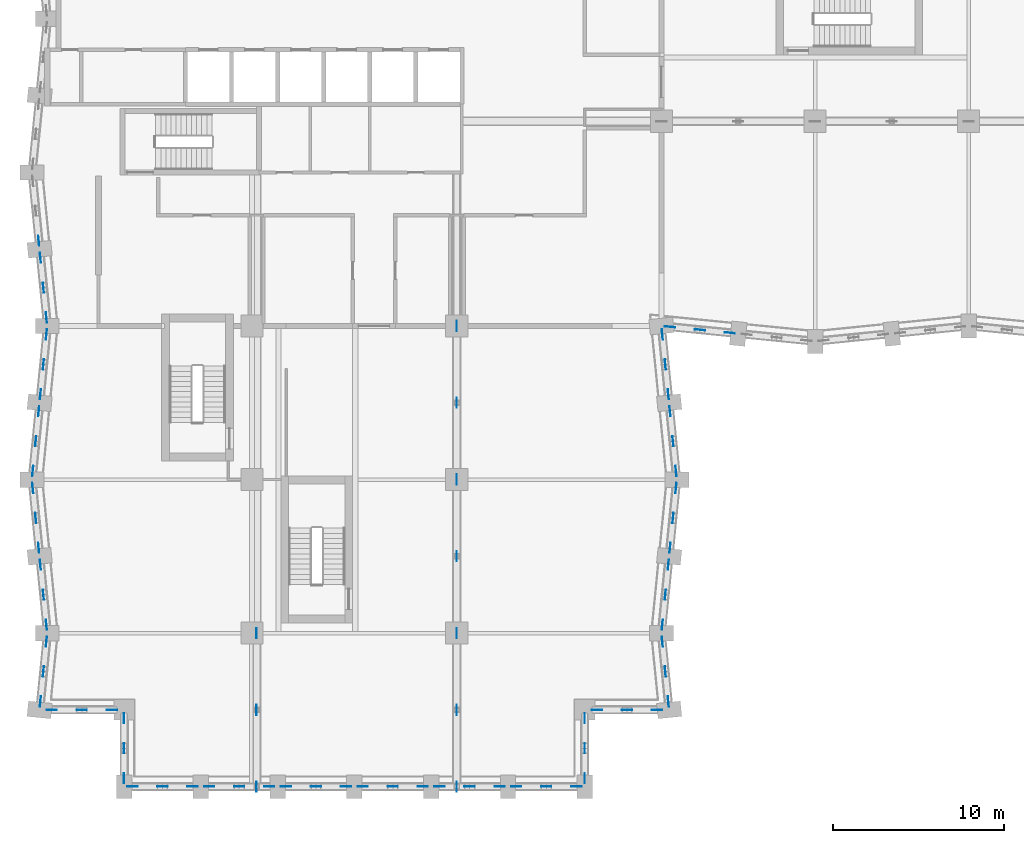
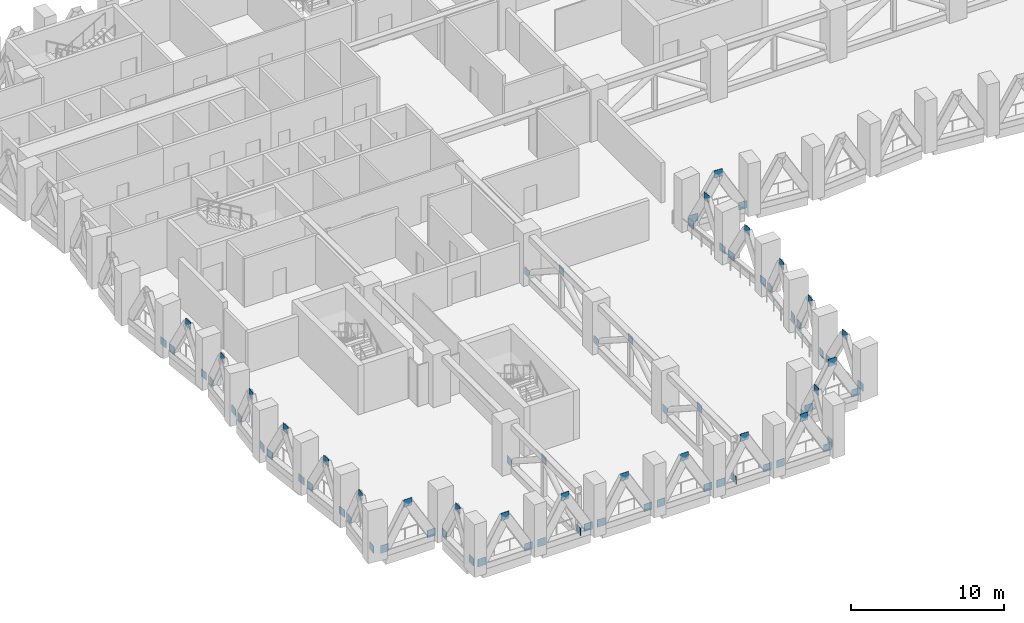
# One storey, part 18 of 25: 77 discrete accessories.
"""IFC4 building model written with IfcOpenShell, lengths in metres."""

from ifc_helpers import new_model, si_unit, direction, frame, origin, origin_2d, place, context, subcontext, project, spatial, rectangle, extrude, material, layer, layer_set, type_object, element, save


model = new_model("IFC4")

# Units and contexts
model_context = context("Model", 3, precision=1e-05, world=origin(), true_north=direction((0.0, 1.0)))
body_context = subcontext(model_context, "Body", "Model", "MODEL_VIEW")
ifc_project = project(units=[si_unit("LENGTHUNIT", "METRE"), si_unit("AREAUNIT", "SQUARE_METRE"), si_unit("VOLUMEUNIT", "CUBIC_METRE"), si_unit("PLANEANGLEUNIT", "RADIAN"), si_unit("MASSUNIT", "GRAM", prefix="KILO")], contexts=[model_context])

# Site, building, storey
site_placement = place(None, origin())
site = spatial("IfcSite", under=ifc_project, at=site_placement, CompositionType="ELEMENT")
building_placement = place(site_placement, origin())
building = spatial("IfcBuilding", under=site, at=building_placement, Name="Brondeck Convention Tower", CompositionType="ELEMENT")
storey_placement = place(building_placement, frame((0.0, 0.0, 84.300048828125)))
storey = spatial("IfcBuildingStorey", under=building, at=storey_placement, Name="L19", CompositionType="ELEMENT", Elevation=84.300048828125)

# Discrete accessories
ifc_material = material(Name="Steel S460", Category="steel")
ifc_layer = layer(ifc_material, 0.02490234375)
ifc_layer_set = layer_set([ifc_layer], Name="Gusset plate 600x600x25 Steel S460")
discrete_accessory_type = type_object("IfcDiscreteAccessoryType", Name="Gusset plate 600x600x25 Steel S460", PredefinedType="BRACKET", material=ifc_layer_set)
for number, where, z_axis, x_axis, name in (
    (1, (4.989013671875, 0.0, 0.199951171875), (0.0, 0.0, 1.0), (1.0, 0.0, 0.0), "Gusset plate GP-134"),
    (2, (6.75, 0.0, 3.25), (0.0, 0.0, 1.0), (1.0, 0.0, 0.0), "Gusset plate GP-135"),
    (3, (8.510986328125, 0.0, 0.199951171875), (0.0, 0.0, 1.0), (1.0, 0.0, 0.0), "Gusset plate GP-136"),
    (4, (9.489013671875, 0.0, 0.199951171875), (0.0, 0.0, 1.0), (1.0, 0.0, 0.0), "Gusset plate GP-137"),
    (5, (11.25, 0.0, 3.25), (0.0, 0.0, 1.0), (1.0, 0.0, 0.0), "Gusset plate GP-138"),
    (6, (13.010986328125, 0.0, 0.199951171875), (0.0, 0.0, 1.0), (1.0, 0.0, 0.0), "Gusset plate GP-139"),
    (7, (13.989013671875, 0.0, 0.199951171875), (0.0, 0.0, 1.0), (1.0, 0.0, 0.0), "Gusset plate GP-140"),
    (8, (15.75, 0.0, 3.25), (0.0, 0.0, 1.0), (1.0, 0.0, 0.0), "Gusset plate GP-141"),
    (9, (17.510986328125, 0.0, 0.199951171875), (0.0, 0.0, 1.0), (1.0, 0.0, 0.0), "Gusset plate GP-142"),
    (10, (18.489013671875, 0.0, 0.199951171875), (0.0, 0.0, 1.0), (1.0, 0.0, 0.0), "Gusset plate GP-143"),
    (11, (20.25, 0.0, 3.25), (0.0, 0.0, 1.0), (1.0, 0.0, 0.0), "Gusset plate GP-144"),
    (12, (22.010986328125, 0.0, 0.199951171875), (0.0, 0.0, 1.0), (1.0, 0.0, 0.0), "Gusset plate GP-145"),
    (13, (22.989013671875, 0.0, 0.199951171875), (0.0, 0.0, 1.0), (1.0, 0.0, 0.0), "Gusset plate GP-146"),
    (14, (24.75, 0.0, 3.25), (0.0, 0.0, 1.0), (1.0, 0.0, 0.0), "Gusset plate GP-147"),
    (15, (26.510986328125, 0.0, 0.199951171875), (0.0, 0.0, 1.0), (1.0, 0.0, 0.0), "Gusset plate GP-148"),
    (16, (27.489013671875, 0.0, 0.199951171875), (0.0, 0.0, 1.0), (1.0, 0.0, 0.0), "Gusset plate GP-149"),
    (17, (29.25, 0.0, 3.25), (0.0, 0.0, 1.0), (1.0, 0.0, 0.0), "Gusset plate GP-150"),
    (18, (31.010986328125, 0.0, 0.199951171875), (0.0, 0.0, 1.0), (1.0, 0.0, 0.0), "Gusset plate GP-151"),
    (19, (31.5, 0.489013671875, 0.199951171875), (0.0, 0.0, 1.0), (0.0, 1.0, 0.0), "Gusset plate GP-152"),
    (20, (31.5, 2.25, 3.25), (0.0, 0.0, 1.0), (0.0, 1.0, 0.0), "Gusset plate GP-153"),
    (21, (31.5, 4.010986328125, 0.199951171875), (0.0, 0.0, 1.0), (0.0, 1.0, 0.0), "Gusset plate GP-154"),
    (22, (32.214111328125, 4.5, 0.199951171875), (0.0, 0.0, 1.0), (1.0, 0.0, 0.0), "Gusset plate GP-155"),
    (23, (33.97509765625, 4.5, 3.25), (0.0, 0.0, 1.0), (1.0, 0.0, 0.0), "Gusset plate GP-156"),
    (24, (35.73583984375, 4.5, 0.199951171875), (0.0, 0.0, 1.0), (1.0, 0.0, 0.0), "Gusset plate GP-157"),
    (25, (36.400146484375, 4.997802734375, 0.199951171875), (0.0, 0.0, 1.0), (-0.099510784867, 0.9950364836, 0.0), "Gusset plate GP-158"),
    (26, (36.22509765625, 6.75, 3.25), (0.0, 0.0, 1.0), (-0.099510784867, 0.9950364836, 0.0), "Gusset plate GP-159"),
    (27, (36.0498046875, 8.502197265625, 0.199951171875), (0.0, 0.0, 1.0), (-0.099510784867, 0.9950364836, 0.0), "Gusset plate GP-160"),
    (28, (36.0498046875, 9.497802734375, 0.199951171875), (0.0, 0.0, 1.0), (0.099510784867, 0.9950364836, 0.0), "Gusset plate GP-161"),
    (29, (36.22509765625, 11.25, 3.25), (0.0, 0.0, 1.0), (0.099510784867, 0.9950364836, 0.0), "Gusset plate GP-162"),
    (30, (36.400146484375, 13.002197265625, 0.199951171875), (0.0, 0.0, 1.0), (0.099510784867, 0.9950364836, 0.0), "Gusset plate GP-163"),
    (31, (36.499755859375, 13.997802734375, 0.199951171875), (0.0, 0.0, 1.0), (0.099510784867, 0.9950364836, 0.0), "Gusset plate GP-164"),
    (32, (36.675048828125, 15.75, 3.25), (0.0, 0.0, 1.0), (0.099510784867, 0.9950364836, 0.0), "Gusset plate GP-165"),
    (33, (36.85009765625, 17.502197265625, 0.199951171875), (0.0, 0.0, 1.0), (0.099510784867, 0.9950364836, 0.0), "Gusset plate GP-166"),
    (34, (36.85009765625, 18.497802734375, 0.199951171875), (0.0, 0.0, 1.0), (-0.099510784867, 0.9950364836, 0.0), "Gusset plate GP-167"),
    (35, (36.675048828125, 20.25, 3.25), (0.0, 0.0, 1.0), (-0.099510784867, 0.9950364836, 0.0), "Gusset plate GP-168"),
    (36, (36.499755859375, 22.002197265625, 0.199951171875), (0.0, 0.0, 1.0), (-0.099510784867, 0.9950364836, 0.0), "Gusset plate GP-169"),
    (37, (36.400146484375, 22.997802734375, 0.199951171875), (0.0, 0.0, 1.0), (-0.099510784867, 0.9950364836, 0.0), "Gusset plate GP-170"),
    (38, (36.22509765625, 24.75, 3.25), (0.0, 0.0, 1.0), (-0.099510784867, 0.9950364836, 0.0), "Gusset plate GP-171"),
    (39, (36.0498046875, 26.502197265625, 0.199951171875), (0.0, 0.0, 1.0), (-0.099510784867, 0.9950364836, 0.0), "Gusset plate GP-172"),
    (40, (36.497802734375, 26.9501953125, 0.199951171875), (0.0, 0.0, 1.0), (-0.9950364836, 0.099510784867, 0.0), "Gusset plate GP-173"),
    (41, (38.25, 26.77490234375, 3.25), (0.0, 0.0, 1.0), (-0.9950364836, 0.099510784867, 0.0), "Gusset plate GP-174"),
    (42, (40.002197265625, 26.599853515625, 0.199951171875), (0.0, 0.0, 1.0), (-0.9950364836, 0.099510784867, 0.0), "Gusset plate GP-175"),
    (43, (-0.499755859375, 31.997802734375, 0.199951171875), (0.0, 0.0, 1.0), (-0.099510784867, 0.9950364836, 0.0), "Gusset plate GP-289"),
    (44, (-0.400146484375, 31.002197265625, 0.199951171875), (0.0, 0.0, 1.0), (-0.099510784867, 0.9950364836, 0.0), "Gusset plate GP-290"),
    (45, (-0.22509765625, 29.25, 3.25), (0.0, 0.0, 1.0), (-0.099510784867, 0.9950364836, 0.0), "Gusset plate GP-291"),
    (46, (-0.0498046875, 27.497802734375, 0.199951171875), (0.0, 0.0, 1.0), (-0.099510784867, 0.9950364836, 0.0), "Gusset plate GP-292"),
    (47, (-0.0498046875, 26.502197265625, 0.199951171875), (0.0, 0.0, 1.0), (0.099510784867, 0.9950364836, 0.0), "Gusset plate GP-293"),
    (48, (-0.22509765625, 24.75, 3.25), (0.0, 0.0, 1.0), (0.099510784867, 0.9950364836, 0.0), "Gusset plate GP-294"),
    (49, (-0.400146484375, 22.997802734375, 0.199951171875), (0.0, 0.0, 1.0), (0.099510784867, 0.9950364836, 0.0), "Gusset plate GP-295"),
    (50, (-0.499755859375, 22.002197265625, 0.199951171875), (0.0, 0.0, 1.0), (0.099510784867, 0.9950364836, 0.0), "Gusset plate GP-296"),
    (51, (-0.675048828125, 20.25, 3.25), (0.0, 0.0, 1.0), (0.099510784867, 0.9950364836, 0.0), "Gusset plate GP-297"),
    (52, (-0.85009765625, 18.497802734375, 0.199951171875), (0.0, 0.0, 1.0), (0.099510784867, 0.9950364836, 0.0), "Gusset plate GP-298"),
    (53, (-0.85009765625, 17.502197265625, 0.199951171875), (0.0, 0.0, 1.0), (-0.099510784867, 0.9950364836, 0.0), "Gusset plate GP-299"),
    (54, (-0.675048828125, 15.75, 3.25), (0.0, 0.0, 1.0), (-0.099510784867, 0.9950364836, 0.0), "Gusset plate GP-300"),
    (55, (-0.499755859375, 13.997802734375, 0.199951171875), (0.0, 0.0, 1.0), (-0.099510784867, 0.9950364836, 0.0), "Gusset plate GP-301"),
    (56, (-0.400146484375, 13.002197265625, 0.199951171875), (0.0, 0.0, 1.0), (-0.099510784867, 0.9950364836, 0.0), "Gusset plate GP-302"),
    (57, (-0.22509765625, 11.25, 3.25), (0.0, 0.0, 1.0), (-0.099510784867, 0.9950364836, 0.0), "Gusset plate GP-303"),
    (58, (-0.0498046875, 9.497802734375, 0.199951171875), (0.0, 0.0, 1.0), (-0.099510784867, 0.9950364836, 0.0), "Gusset plate GP-304"),
    (59, (-0.0498046875, 8.502197265625, 0.199951171875), (0.0, 0.0, 1.0), (0.099510784867, 0.9950364836, 0.0), "Gusset plate GP-305"),
    (60, (-0.22509765625, 6.75, 3.25), (0.0, 0.0, 1.0), (0.099510784867, 0.9950364836, 0.0), "Gusset plate GP-306"),
    (61, (-0.400146484375, 4.997802734375, 0.199951171875), (0.0, 0.0, 1.0), (0.099510784867, 0.9950364836, 0.0), "Gusset plate GP-307"),
    (62, (0.26416015625, 4.5, 0.199951171875), (0.0, 0.0, 1.0), (1.0, 0.0, 0.0), "Gusset plate GP-308"),
    (63, (2.02490234375, 4.5, 3.25), (0.0, 0.0, 1.0), (1.0, 0.0, 0.0), "Gusset plate GP-309"),
    (64, (3.785888671875, 4.5, 0.199951171875), (0.0, 0.0, 1.0), (1.0, 0.0, 0.0), "Gusset plate GP-310"),
    (65, (4.5, 4.010986328125, 0.199951171875), (0.0, 0.0, 1.0), (0.0, 1.0, 0.0), "Gusset plate GP-311"),
    (66, (4.5, 2.25, 3.25), (0.0, 0.0, 1.0), (0.0, 1.0, 0.0), "Gusset plate GP-312"),
    (67, (4.5, 0.489013671875, 0.199951171875), (0.0, 0.0, 1.0), (0.0, 1.0, 0.0), "Gusset plate GP-313"),
    (68, (12.27001953125, 9.0, 0.199951171875), (0.0, 0.0, 1.0), (0.0, 1.0, 0.0), "Gusset plate GP-328"),
    (69, (12.27001953125, 4.5, 3.099853515625), (0.0, 0.0, 1.0), (0.0, 1.0, 0.0), "Gusset plate GP-329"),
    (70, (12.27001953125, 0.0, 0.199951171875), (0.0, 0.0, 1.0), (0.0, 1.0, 0.0), "Gusset plate GP-330"),
    (71, (24.0, 27.0, 0.199951171875), (0.0, 0.0, 1.0), (0.0, 1.0, 0.0), "Gusset plate GP-331"),
    (72, (24.0, 22.5, 3.099853515625), (0.0, 0.0, 1.0), (0.0, 1.0, 0.0), "Gusset plate GP-332"),
    (73, (24.0, 18.0, 0.199951171875), (0.0, 0.0, 1.0), (0.0, 1.0, 0.0), "Gusset plate GP-333"),
    (74, (24.0, 13.5, 3.099853515625), (0.0, 0.0, 1.0), (0.0, 1.0, 0.0), "Gusset plate GP-334"),
    (75, (24.0, 9.0, 0.199951171875), (0.0, 0.0, 1.0), (0.0, 1.0, 0.0), "Gusset plate GP-335"),
    (76, (24.0, 4.5, 3.099853515625), (0.0, 0.0, 1.0), (0.0, 1.0, 0.0), "Gusset plate GP-336"),
    (77, (24.0, 0.0, 0.199951171875), (0.0, 0.0, 1.0), (0.0, 1.0, 0.0), "Gusset plate GP-337"),
):
    element("IfcDiscreteAccessory", number, at=place(storey_placement, frame(where, z_axis=z_axis, x_axis=x_axis)), inside=storey, type_object=discrete_accessory_type, Name=name, PredefinedType="BRACKET", context=body_context, shape_type="SweptSolid", body=[
        extrude(rectangle(XDim=0.60009765625, YDim=0.02490234375, at=origin_2d()), origin(), (0.0, 0.0, 1.0), 0.60009765625),
    ])

save(model, "model.ifc")
